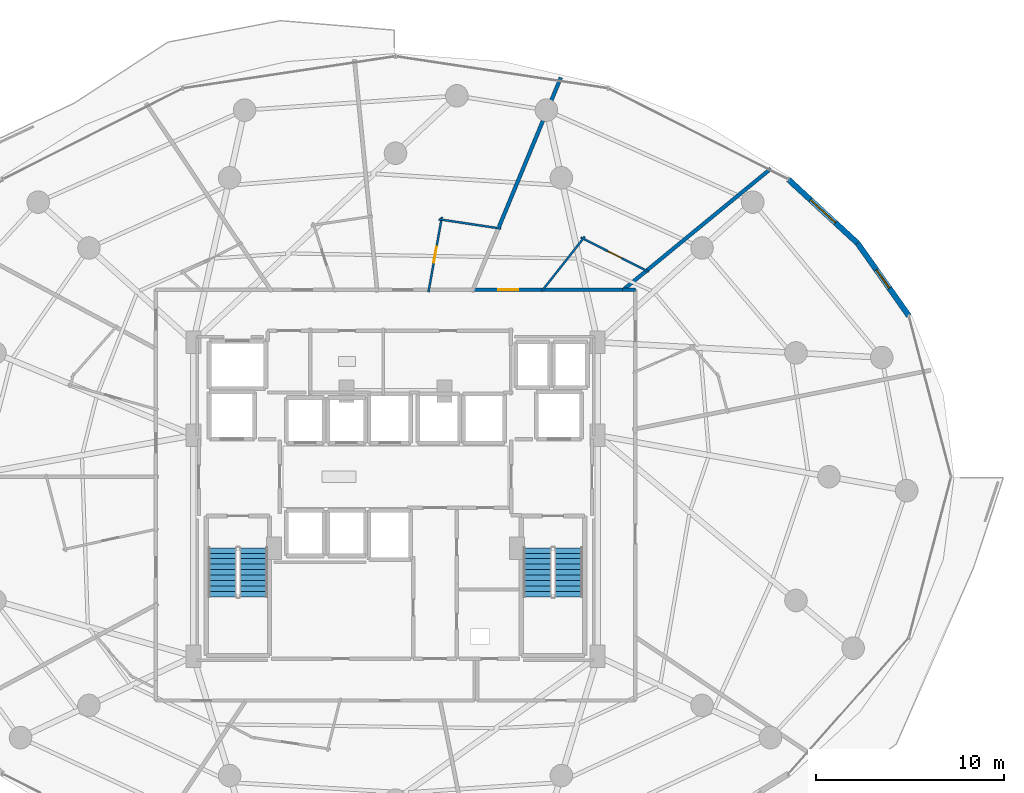
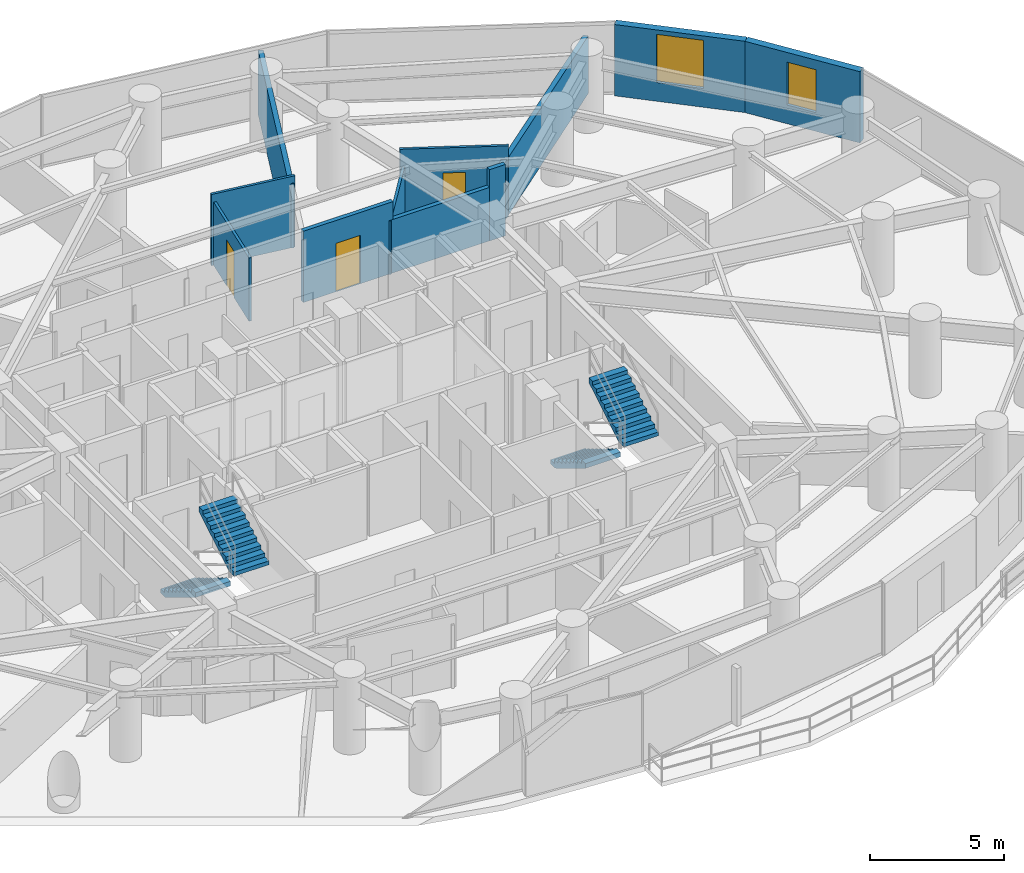
# One storey, part 30 of 34: 11 walls, 4 stair flights, 3 doors, 2 windows, 5 openings, 2 elements without a shape of their own.
"""IFC4 building model written with IfcOpenShell, lengths in metres."""

from ifc_helpers import new_model, si_unit, direction, frame, frame_2d, origin, place, context, subcontext, project, spatial, polyline, rectangle, outline, extrude, material, layer, layer_set, type_object, element, fill, aggregate, save


model = new_model("IFC4")

# Units and contexts
model_context = context("Model", 3, precision=1e-05, world=origin(), true_north=direction((0.0, 1.0)))
body_context = subcontext(model_context, "Body", "Model", "MODEL_VIEW")
ifc_project = project(units=[si_unit("LENGTHUNIT", "METRE"), si_unit("AREAUNIT", "SQUARE_METRE"), si_unit("VOLUMEUNIT", "CUBIC_METRE"), si_unit("PLANEANGLEUNIT", "RADIAN"), si_unit("MASSUNIT", "GRAM", prefix="KILO")], contexts=[model_context])

# Site, building, storey
site_placement = place(None, origin())
site = spatial("IfcSite", under=ifc_project, at=site_placement, CompositionType="ELEMENT")
building_placement = place(site_placement, origin())
building = spatial("IfcBuilding", under=site, at=building_placement, Name="Vorneva Point Tower", CompositionType="ELEMENT")
storey_placement = place(building_placement, frame((0.0, 0.0, 62.5)))
storey = spatial("IfcBuildingStorey", under=building, at=storey_placement, Name="L16", CompositionType="ELEMENT", Elevation=62.5)

# Wall, opening, window
ifc_material_1 = material(Name="Precast concrete B50 (C40/50)", Category="concrete")
ifc_layer_1 = layer(ifc_material_1, 0.300048828125)
ifc_layer_set_1 = layer_set([ifc_layer_1], Name="Precast concrete B50 (C40/50)")
wall_type_1 = type_object("IfcWallType", Name="WL-EXT-300", PredefinedType="STANDARD", material=ifc_layer_set_1)
wall_1_placement = place(storey_placement, frame((65.300537109375, 34.552978515625, 0.0), z_axis=(0.0, 0.0, 1.0), x_axis=(-0.577130815624, 0.816651713803, 0.0)))
wall_1 = element("IfcWall", 1, at=wall_1_placement, inside=storey, type_object=wall_type_1, Name="L16 Pale-Metal Facade Spandrel Wall 02.1", PredefinedType="STANDARD", context=body_context, shape_type="SweptSolid", body=[
    extrude(rectangle(XDim=4.7314453125, YDim=0.300048828125, at=frame_2d((2.36572265625, 0.0))), origin(), (0.0, 0.0, 1.0), 3.239990234375),
])
opening_1_placement = place(wall_1_placement, frame((1.79541015625, 0.0, 0.85009765625)))
opening_1 = element("IfcOpeningElement", 2, at=opening_1_placement, cuts=wall_1, Name="Opening W-04", PredefinedType="OPENING", context=body_context, shape_type="SweptSolid", body=[
    extrude(rectangle(XDim=1.199951171875, YDim=1.949951171875, at=frame_2d((0.60009765625, 0.97509765625))), frame((0.0, 0.1650390625, 0.0), z_axis=(0.0, -1.0, 0.0), x_axis=(1.0, 0.0, 0.0)), (0.0, 0.0, 1.0), 0.329833984375),
])
ifc_material_2 = material(Name="Double low-e laminated glass IGU", Category="glass")
window_type_1 = type_object("IfcWindowType", Name="WN-RES-1200", PartitioningType="SINGLE_PANEL", PredefinedType="WINDOW", material=ifc_material_2)
window_1_placement = place(opening_1_placement, origin())
window_1 = element("IfcWindow", 3, at=window_1_placement, inside=storey, type_object=window_type_1, Name="L16 Dwelling Vision Window 01", OverallHeight=1.949951171875, OverallWidth=1.199951171875, PartitioningType="SINGLE_PANEL", PredefinedType="WINDOW", context=body_context, shape_type="SweptSolid", body=[
    extrude(rectangle(XDim=1.199951171875, YDim=1.949951171875, at=frame_2d((0.60009765625, 0.97509765625))), frame((0.0, 0.030029296875, 0.0), z_axis=(0.0, -1.0, 0.0), x_axis=(1.0, 0.0, 0.0)), (0.0, 0.0, 1.0), 0.06005859375),
])
fill(opening_1, window_1)

wall_2_placement = place(storey_placement, frame((62.56982421875, 38.4169921875, 0.0), z_axis=(0.0, 0.0, 1.0), x_axis=(-0.735342629635, 0.677695519419, 0.0)))
wall_2 = element("IfcWall", 4, at=wall_2_placement, inside=storey, type_object=wall_type_1, Name="L16 Pale-Metal Facade Spandrel Wall 02.2", PredefinedType="STANDARD", context=body_context, shape_type="SweptSolid", body=[
    extrude(rectangle(XDim=4.997314453125, YDim=0.300048828125, at=frame_2d((2.49853515625, 0.0))), origin(), (0.0, 0.0, 1.0), 3.239990234375),
])
opening_2_placement = place(wall_2_placement, frame((1.598876953125, 0.0, 0.85009765625)))
opening_2 = element("IfcOpeningElement", 5, at=opening_2_placement, cuts=wall_2, Name="Opening W-01", PredefinedType="OPENING", context=body_context, shape_type="SweptSolid", body=[
    extrude(rectangle(XDim=1.800048828125, YDim=2.18994140625, at=frame_2d((0.89990234375, 1.094970703125))), frame((0.0, 0.1650390625, 0.0), z_axis=(0.0, -1.0, 0.0), x_axis=(1.0, 0.0, 0.0)), (0.0, 0.0, 1.0), 0.329833984375),
])
window_type_2 = type_object("IfcWindowType", Name="WN-LOG-1800", PartitioningType="SINGLE_PANEL", PredefinedType="WINDOW", material=ifc_material_2)
window_2_placement = place(opening_2_placement, origin())
window_2 = element("IfcWindow", 6, at=window_2_placement, inside=storey, type_object=window_type_2, Name="L16 Facade Window 02", OverallHeight=2.18994140625, OverallWidth=1.800048828125, PartitioningType="SINGLE_PANEL", PredefinedType="WINDOW", context=body_context, shape_type="SweptSolid", body=[
    extrude(rectangle(XDim=1.800048828125, YDim=2.18994140625, at=frame_2d((0.89990234375, 1.094970703125))), frame((0.0, 0.030029296875, 0.0), z_axis=(0.0, -1.0, 0.0), x_axis=(1.0, 0.0, 0.0)), (0.0, 0.0, 1.0), 0.06005859375),
])
fill(opening_2, window_2)

# Wall, opening, door
ifc_material_3 = material(Name="Fire-rated acoustic gypsum stud partition", Category="gypsum")
ifc_layer_2 = layer(ifc_material_3, 0.110107421875)
ifc_layer_set_2 = layer_set([ifc_layer_2], Name="Fire-rated acoustic gypsum stud partition")
wall_type_2 = type_object("IfcWallType", Name="WL-PART-110", PredefinedType="PARTITIONING", material=ifc_layer_set_2)
wall_3_placement = place(storey_placement, frame((47.85302734375, 38.72021484375, 0.0), z_axis=(0.0, 0.0, 1.0), x_axis=(0.892455812043, -0.451134817489, 0.0)))
wall_3 = element("IfcWall", 7, at=wall_3_placement, inside=storey, type_object=wall_type_2, Name="L16 Interior Partition 055", PredefinedType="PARTITIONING", context=body_context, shape_type="SweptSolid", body=[
    extrude(rectangle(XDim=4.054931640625, YDim=0.110107421875, at=frame_2d((2.02734375, 0.0))), origin(), (0.0, 0.0, 1.0), 3.239990234375),
])
opening_3_placement = place(wall_3_placement, frame((1.6025390625, 0.0, 0.0)))
opening_3 = element("IfcOpeningElement", 8, at=opening_3_placement, cuts=wall_3, Name="Opening ID-02", PredefinedType="OPENING", context=body_context, shape_type="SweptSolid", body=[
    extrude(rectangle(XDim=0.85009765625, YDim=2.10009765625, at=frame_2d((0.425048828125, 1.050048828125))), frame((0.0, 0.06982421875, 0.0), z_axis=(0.0, -1.0, 0.0), x_axis=(1.0, 0.0, 0.0)), (0.0, 0.0, 1.0), 0.139892578125),
])
ifc_material_4 = material(Name="Engineered oak fire-rated door leaf", Category="wood")
door_type_1 = type_object("IfcDoorType", Name="DR-BATH-850", OperationType="NOTDEFINED", PredefinedType="DOOR", material=ifc_material_4)
door_1_placement = place(opening_3_placement, origin())
door_1 = element("IfcDoor", 9, at=door_1_placement, inside=storey, type_object=door_type_1, Name="L16 Door Corner Suite L16-02 / En-Suite Bathroom L16-02", OperationType="SINGLE_SWING_LEFT", OverallHeight=2.10009765625, OverallWidth=0.85009765625, PredefinedType="DOOR", context=body_context, shape_type="SweptSolid", body=[
    extrude(rectangle(XDim=0.85009765625, YDim=2.10009765625, at=frame_2d((0.425048828125, 1.050048828125))), frame((0.0, 0.02490234375, 0.0), z_axis=(0.0, -1.0, 0.0), x_axis=(1.0, 0.0, 0.0)), (0.0, 0.0, 1.0), 0.050048828125),
])
fill(opening_3, door_1)

# Wall
wall_4_placement = place(storey_placement, frame((45.75732421875, 35.840087890625, 0.0), z_axis=(0.0, 0.0, 1.0), x_axis=(0.619111031154, 0.785303464339, 0.0)))
element("IfcWall", 10, at=wall_4_placement, inside=storey, type_object=wall_type_2, Name="L16 Interior Partition 056", PredefinedType="PARTITIONING", context=body_context, shape_type="SweptSolid", body=[
    extrude(rectangle(XDim=3.726806640625, YDim=0.110107421875, at=frame_2d((1.86328125, 0.0))), origin(), (0.0, 0.0, 1.0), 2.431884765625),
])

# Wall, opening, door
wall_5_placement = place(storey_placement, frame((39.75244140625, 35.812255859375, 0.0), z_axis=(0.0, 0.0, 1.0), x_axis=(0.175744825879, 0.984435755231, 0.0)))
wall_5 = element("IfcWall", 11, at=wall_5_placement, inside=storey, type_object=wall_type_2, Name="L16 Interior Partition 059", PredefinedType="PARTITIONING", context=body_context, shape_type="SweptSolid", body=[
    extrude(rectangle(XDim=4.057861328125, YDim=0.110107421875, at=frame_2d((2.02880859375, 0.0))), origin(), (0.0, 0.0, 1.0), 2.8740234375),
])
opening_4_placement = place(wall_5_placement, frame((1.60400390625, 0.0, 0.0)))
opening_4 = element("IfcOpeningElement", 12, at=opening_4_placement, cuts=wall_5, Name="Opening ID-02", PredefinedType="OPENING", context=body_context, shape_type="SweptSolid", body=[
    extrude(rectangle(XDim=0.85009765625, YDim=2.10009765625, at=frame_2d((0.425048828125, 1.050048828125))), frame((0.0, 0.06982421875, 0.0), z_axis=(0.0, -1.0, 0.0), x_axis=(1.0, 0.0, 0.0)), (0.0, 0.0, 1.0), 0.139892578125),
])
door_2_placement = place(opening_4_placement, origin())
door_2 = element("IfcDoor", 13, at=door_2_placement, inside=storey, type_object=door_type_1, Name="L16 Door Junior Suite L16-03 / En-Suite Bathroom L16-03", OperationType="SINGLE_SWING_RIGHT", OverallHeight=2.10009765625, OverallWidth=0.85009765625, PredefinedType="DOOR", context=body_context, shape_type="SweptSolid", body=[
    extrude(rectangle(XDim=0.85009765625, YDim=2.10009765625, at=frame_2d((0.425048828125, 1.050048828125))), frame((0.0, 0.02490234375, 0.0), z_axis=(0.0, -1.0, 0.0), x_axis=(1.0, 0.0, 0.0)), (0.0, 0.0, 1.0), 0.050048828125),
])
fill(opening_4, door_2)

# Walls
wall_6_placement = place(storey_placement, frame((40.302490234375, 39.689697265625, 0.0), z_axis=(0.0, 0.0, 1.0), x_axis=(0.988882233135, -0.148700803595, 0.0)))
element("IfcWall", 14, at=wall_6_placement, inside=storey, type_object=wall_type_2, Name="L16 Interior Partition 060", PredefinedType="PARTITIONING", context=body_context, shape_type="SweptSolid", body=[
    extrude(rectangle(XDim=3.345947265625, YDim=0.110107421875, at=frame_2d((1.6728515625, 0.0))), origin(), (0.0, 0.0, 1.0), 3.239990234375),
])
ifc_material_5 = material(Name="Autoclaved aerated concrete blockwork", Category="masonry")
ifc_layer_3 = layer(ifc_material_5, 0.179931640625)
ifc_layer_set_3 = layer_set([ifc_layer_3], Name="Autoclaved aerated concrete blockwork")
wall_type_3 = type_object("IfcWallType", Name="WL-PART-180", PredefinedType="PARTITIONING", material=ifc_layer_set_3)
wall_7_placement = place(storey_placement, frame((50.75, 35.949951171875, 0.0), z_axis=(0.0, 0.0, 1.0), x_axis=(-1.0, 0.0, 0.0)))
element("IfcWall", 15, at=wall_7_placement, inside=storey, type_object=wall_type_3, Name="L16 Interior Partition 023", PredefinedType="PARTITIONING", context=body_context, shape_type="SweptSolid", body=[
    extrude(rectangle(XDim=0.68603515625, YDim=0.179931640625, at=frame_2d((0.343017578125, 0.0))), origin(), (0.0, 0.0, 1.0), 3.239990234375),
])

# Wall, opening, door
wall_8_placement = place(storey_placement, frame((45.919921875, 35.949951171875, 0.0), z_axis=(0.0, 0.0, 1.0), x_axis=(-1.0, 0.0, 0.0)))
wall_8 = element("IfcWall", 16, at=wall_8_placement, inside=storey, type_object=wall_type_3, Name="L16 Interior Partition 025", PredefinedType="PARTITIONING", context=body_context, shape_type="SweptSolid", body=[
    extrude(rectangle(XDim=3.85888671875, YDim=0.179931640625, at=frame_2d((1.929443359375, 0.0))), origin(), (0.0, 0.0, 1.0), 3.239990234375),
])
opening_5_placement = place(wall_8_placement, frame((1.404541015625, 0.0, 0.0)))
opening_5 = element("IfcOpeningElement", 17, at=opening_5_placement, cuts=wall_8, Name="Opening UD-02", PredefinedType="OPENING", context=body_context, shape_type="SweptSolid", body=[
    extrude(rectangle(XDim=1.050048828125, YDim=2.199951171875, at=frame_2d((0.52490234375, 1.10009765625))), frame((0.0, 0.10498046875, 0.0), z_axis=(0.0, -1.0, 0.0), x_axis=(1.0, 0.0, 0.0)), (0.0, 0.0, 1.0), 0.209716796875),
])
door_type_2 = type_object("IfcDoorType", Name="DR-SUITE-1050", OperationType="NOTDEFINED", PredefinedType="DOOR", material=ifc_material_4)
door_3_placement = place(opening_5_placement, origin())
door_3 = element("IfcDoor", 18, at=door_3_placement, inside=storey, type_object=door_type_2, Name="L16 Door L16 Circulation Corridor / Corner Suite L16-02", OperationType="SINGLE_SWING_RIGHT", OverallHeight=2.199951171875, OverallWidth=1.050048828125, PredefinedType="DOOR", context=body_context, shape_type="SweptSolid", body=[
    extrude(rectangle(XDim=1.050048828125, YDim=2.199951171875, at=frame_2d((0.52490234375, 1.10009765625))), frame((0.0, 0.02490234375, 0.0), z_axis=(0.0, -1.0, 0.0), x_axis=(1.0, 0.0, 0.0)), (0.0, 0.0, 1.0), 0.050048828125),
])
fill(opening_5, door_3)

# Walls
wall_9_placement = place(storey_placement, frame((50.2041015625, 35.949951171875, 0.0), z_axis=(0.0, 0.0, 1.0), x_axis=(-1.0, 0.0, 0.0)))
element("IfcWall", 19, at=wall_9_placement, inside=storey, type_object=wall_type_3, Name="L16 Interior Partition 026", PredefinedType="PARTITIONING", context=body_context, shape_type="SweptSolid", body=[
    extrude(rectangle(XDim=4.424072265625, YDim=0.179931640625, at=frame_2d((2.2119140625, 0.0))), origin(), (0.0, 0.0, 1.0), 2.431884765625),
])
ifc_layer_4 = layer(ifc_material_5, 0.199951171875)
ifc_layer_set_4 = layer_set([ifc_layer_4], Name="Autoclaved aerated concrete blockwork")
wall_type_4 = type_object("IfcWallType", Name="WL-PART-200", PredefinedType="PARTITIONING", material=ifc_layer_set_4)
wall_10_placement = place(storey_placement, frame((57.9599609375, 42.381103515625, 0.0), z_axis=(0.0, 0.0, 1.0), x_axis=(-0.772992813725, -0.634414777515, 0.0)))
element("IfcWall", 20, at=wall_10_placement, inside=storey, type_object=wall_type_4, Name="L16 Interior Partition 052", PredefinedType="PARTITIONING", context=body_context, shape_type="SweptSolid", body=[
    extrude(rectangle(XDim=10.13720703125, YDim=0.199951171875, at=frame_2d((5.068603515625, 0.0))), origin(), (0.0, 0.0, 1.0), 2.6240234375),
])
wall_11_placement = place(storey_placement, frame((46.7919921875, 47.22509765625, 0.0), z_axis=(0.0, 0.0, 1.0), x_axis=(-0.382750893248, -0.923851586413, 0.0)))
element("IfcWall", 21, at=wall_11_placement, inside=storey, type_object=wall_type_4, Name="L16 Interior Partition 057", PredefinedType="PARTITIONING", context=body_context, shape_type="SweptSolid", body=[
    extrude(rectangle(XDim=8.734130859375, YDim=0.199951171875, at=frame_2d((4.3671875, 0.0))), origin(), (0.0, 0.0, 1.0), 2.928955078125),
])

# Stair, stair flights
ifc_material_6 = material(Name="Concrete B50 (C40/50)", Category="concrete")
stair_type = type_object("IfcStairType", Name="ST-DOG-1500", PredefinedType="HALF_TURN_STAIR", material=ifc_material_6)
stair_1_placement = place(storey_placement, origin())
stair_1 = element("IfcStair", 22, at=stair_1_placement, inside=storey, type_object=stair_type, Name="L16 ST1", PredefinedType="HALF_TURN_STAIR")
stair_flight_type = type_object("IfcStairFlightType", Name="STF-1500", PredefinedType="STRAIGHT", material=ifc_material_6)
stair_flight_1_placement = place(storey_placement, frame((28.800048828125, 22.219970703125, 0.0), z_axis=(0.0, 0.0, 1.0), x_axis=(0.0, -1.0, 0.0)))
stair_flight_1 = element("IfcStairFlight", 23, at=stair_flight_1_placement, type_object=stair_flight_type, Name="ST1 flight 1", NumberOfRisers=10, NumberOfTreads=9, PredefinedType="STRAIGHT", RiserHeight=0.175, TreadLength=0.29, context=body_context, shape_type="SweptSolid", body=[
    extrude(outline(polyline([(0.0, 0.0), (0.0, 0.175048828125), (0.2900390625, 0.175048828125), (0.2900390625, 0.35009765625), (0.580078125, 0.35009765625), (0.580078125, 0.52490234375), (0.8701171875, 0.52490234375), (0.8701171875, 0.699951171875), (1.159912109375, 0.699951171875), (1.159912109375, 0.875), (1.449951171875, 0.875), (1.449951171875, 1.050048828125), (1.739990234375, 1.050048828125), (1.739990234375, 1.22509765625), (2.030029296875, 1.22509765625), (2.030029296875, 1.39990234375), (2.320068359375, 1.39990234375), (2.320068359375, 1.574951171875), (2.610107421875, 1.574951171875), (2.610107421875, 1.75), (2.610107421875, 1.36474609375), (0.34814453125, 0.0), (0.0, 0.0)])), frame((0.0, 0.75, 0.0), z_axis=(0.0, -1.0, 0.0), x_axis=(1.0, 0.0, 0.0)), (0.0, 0.0, 1.0), 1.5),
])
stair_flight_2_placement = place(storey_placement, frame((30.449951171875, 19.610107421875, 1.75), z_axis=(0.0, 0.0, 1.0), x_axis=(0.0, 1.0, 0.0)))
stair_flight_2 = element("IfcStairFlight", 24, at=stair_flight_2_placement, type_object=stair_flight_type, Name="ST1 flight 2", NumberOfRisers=10, NumberOfTreads=9, PredefinedType="STRAIGHT", RiserHeight=0.175, TreadLength=0.29, context=body_context, shape_type="SweptSolid", body=[
    extrude(outline(polyline([(0.0, 0.0), (0.0, 0.175048828125), (0.2900390625, 0.175048828125), (0.2900390625, 0.35009765625), (0.580078125, 0.35009765625), (0.580078125, 0.52490234375), (0.8701171875, 0.52490234375), (0.8701171875, 0.699951171875), (1.159912109375, 0.699951171875), (1.159912109375, 0.875), (1.449951171875, 0.875), (1.449951171875, 1.050048828125), (1.739990234375, 1.050048828125), (1.739990234375, 1.22509765625), (2.030029296875, 1.22509765625), (2.030029296875, 1.39990234375), (2.320068359375, 1.39990234375), (2.320068359375, 1.574951171875), (2.610107421875, 1.574951171875), (2.610107421875, 1.75), (2.610107421875, 1.36474609375), (0.34814453125, 0.0), (0.0, 0.0)])), frame((0.0, 0.75, 0.0), z_axis=(0.0, -1.0, 0.0), x_axis=(1.0, 0.0, 0.0)), (0.0, 0.0, 1.0), 1.5),
])
aggregate(stair_1, [stair_flight_1, stair_flight_2])

stair_2_placement = place(storey_placement, origin())
stair_2 = element("IfcStair", 25, at=stair_2_placement, inside=storey, type_object=stair_type, Name="L16 ST2", PredefinedType="HALF_TURN_STAIR")
stair_flight_3_placement = place(storey_placement, frame((45.550048828125, 22.219970703125, 0.0), z_axis=(0.0, 0.0, 1.0), x_axis=(0.0, -1.0, 0.0)))
stair_flight_3 = element("IfcStairFlight", 26, at=stair_flight_3_placement, type_object=stair_flight_type, Name="ST2 flight 1", NumberOfRisers=10, NumberOfTreads=9, PredefinedType="STRAIGHT", RiserHeight=0.175, TreadLength=0.29, context=body_context, shape_type="SweptSolid", body=[
    extrude(outline(polyline([(0.0, 0.0), (0.0, 0.175048828125), (0.2900390625, 0.175048828125), (0.2900390625, 0.35009765625), (0.580078125, 0.35009765625), (0.580078125, 0.52490234375), (0.8701171875, 0.52490234375), (0.8701171875, 0.699951171875), (1.159912109375, 0.699951171875), (1.159912109375, 0.875), (1.449951171875, 0.875), (1.449951171875, 1.050048828125), (1.739990234375, 1.050048828125), (1.739990234375, 1.22509765625), (2.030029296875, 1.22509765625), (2.030029296875, 1.39990234375), (2.320068359375, 1.39990234375), (2.320068359375, 1.574951171875), (2.610107421875, 1.574951171875), (2.610107421875, 1.75), (2.610107421875, 1.36474609375), (0.34814453125, 0.0), (0.0, 0.0)])), frame((0.0, 0.75, 0.0), z_axis=(0.0, -1.0, 0.0), x_axis=(1.0, 0.0, 0.0)), (0.0, 0.0, 1.0), 1.5),
])
stair_flight_4_placement = place(storey_placement, frame((47.199951171875, 19.610107421875, 1.75), z_axis=(0.0, 0.0, 1.0), x_axis=(0.0, 1.0, 0.0)))
stair_flight_4 = element("IfcStairFlight", 27, at=stair_flight_4_placement, type_object=stair_flight_type, Name="ST2 flight 2", NumberOfRisers=10, NumberOfTreads=9, PredefinedType="STRAIGHT", RiserHeight=0.175, TreadLength=0.29, context=body_context, shape_type="SweptSolid", body=[
    extrude(outline(polyline([(0.0, 0.0), (0.0, 0.175048828125), (0.2900390625, 0.175048828125), (0.2900390625, 0.35009765625), (0.580078125, 0.35009765625), (0.580078125, 0.52490234375), (0.8701171875, 0.52490234375), (0.8701171875, 0.699951171875), (1.159912109375, 0.699951171875), (1.159912109375, 0.875), (1.449951171875, 0.875), (1.449951171875, 1.050048828125), (1.739990234375, 1.050048828125), (1.739990234375, 1.22509765625), (2.030029296875, 1.22509765625), (2.030029296875, 1.39990234375), (2.320068359375, 1.39990234375), (2.320068359375, 1.574951171875), (2.610107421875, 1.574951171875), (2.610107421875, 1.75), (2.610107421875, 1.36474609375), (0.34814453125, 0.0), (0.0, 0.0)])), frame((0.0, 0.75, 0.0), z_axis=(0.0, -1.0, 0.0), x_axis=(1.0, 0.0, 0.0)), (0.0, 0.0, 1.0), 1.5),
])
aggregate(stair_2, [stair_flight_3, stair_flight_4])

save(model, "model.ifc")
